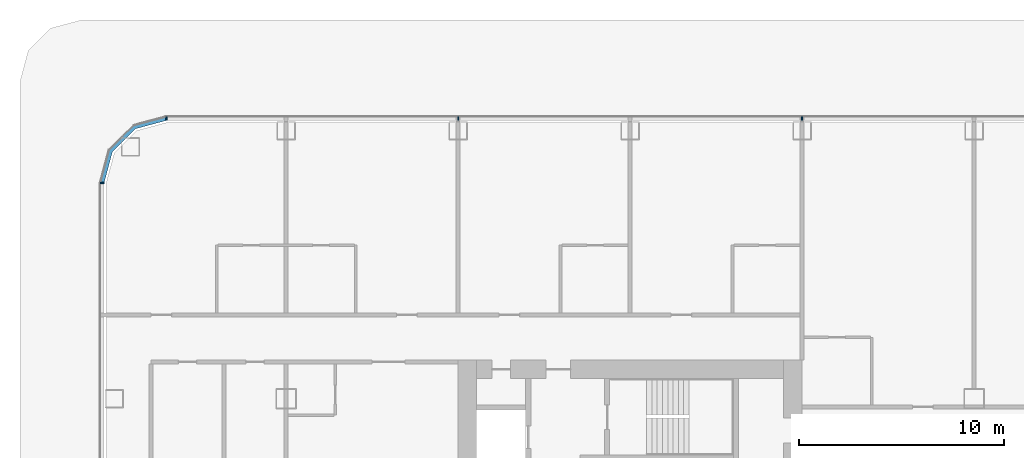
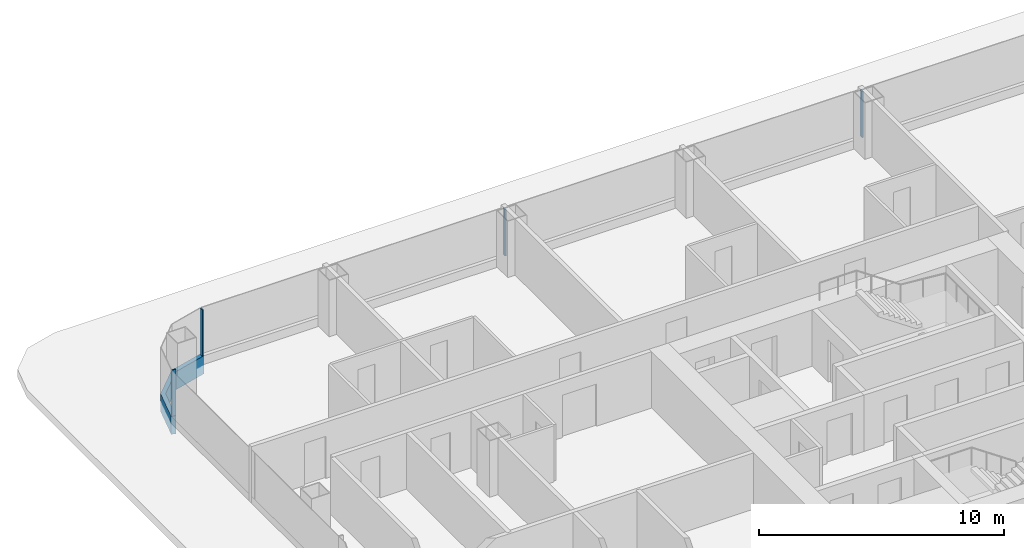
# One storey, part 7 of 42: 5 members, 3 elements without a shape of their own.
"""IFC4 building model written with IfcOpenShell, lengths in metres."""

from ifc_helpers import new_model, si_unit, direction, frame, origin, origin_2d, place, context, subcontext, project, spatial, polyline, rectangle, outline, extrude, material, layer, layer_set, material_profile, profile_set, type_object, element, aggregate, save


model = new_model("IFC4")

# Units and contexts
model_context = context("Model", 3, precision=1e-05, world=origin(), true_north=direction((0.0, 1.0)))
body_context = subcontext(model_context, "Body", "Model", "MODEL_VIEW")
ifc_project = project(units=[si_unit("LENGTHUNIT", "METRE"), si_unit("AREAUNIT", "SQUARE_METRE"), si_unit("VOLUMEUNIT", "CUBIC_METRE"), si_unit("PLANEANGLEUNIT", "RADIAN"), si_unit("MASSUNIT", "GRAM", prefix="KILO")], contexts=[model_context])

# Site, building, storey
site_placement = place(None, origin())
site = spatial("IfcSite", under=ifc_project, at=site_placement, CompositionType="ELEMENT")
building_placement = place(site_placement, origin())
building = spatial("IfcBuilding", under=site, at=building_placement, Name="Hakoniwa Tower and Hamabe Station Hall", CompositionType="ELEMENT")
storey_placement = place(building_placement, frame((0.0, 0.0, 19.800048828125)))
storey = spatial("IfcBuildingStorey", under=building, at=storey_placement, Name="L04", CompositionType="ELEMENT", Elevation=19.800048828125)

# Curtain wall, member
ifc_material_1 = material(Name="Dark low-e laminated glass", Category="glass")
ifc_layer = layer(ifc_material_1, 0.199951171875)
ifc_layer_set = layer_set([ifc_layer], Name="CW-1 UNITISED GUEST")
curtain_wall_type = type_object("IfcCurtainWallType", Name="CW-1 UNITISED GUEST", PredefinedType="NOTDEFINED", material=ifc_layer_set)
curtain_wall_1_placement = place(storey_placement, origin())
curtain_wall_1 = element("IfcCurtainWall", 1, at=curtain_wall_1_placement, inside=storey, type_object=curtain_wall_type, Name="CW-1 curtain wall", PredefinedType="NOTDEFINED")
ifc_material_2 = material(Name="Aluminium 6063-T5 black anodised", Category="aluminium")
ifc_material_profile_1 = material_profile(ifc_material_2, rectangle(XDim=0.199951171875, YDim=0.89990234375, at=origin_2d()), Name="CW SLAB-EDGE BAND 900X200")
ifc_profile_set_1 = profile_set([ifc_material_profile_1], Name="Aluminium 6063-T5 black anodised")
member_type_1 = type_object("IfcMemberType", Name="CW SLAB-EDGE BAND 900X200", PredefinedType="USERDEFINED", material=ifc_profile_set_1)
member_1_placement = place(storey_placement, frame((0.0, 0.0, -0.550048828125)))
member_1 = element("IfcMember", 2, at=member_1_placement, type_object=member_type_1, Name="CW-1 transom", ObjectType="TRANSOM", PredefinedType="USERDEFINED", context=body_context, shape_type="SweptSolid", body=[
    extrude(outline(polyline([(-47.839599609375, 20.300048828125), (-49.455322265625, 19.866943359375), (-50.6669921875, 18.6552734375), (-51.10009765625, 17.03955078125), (-50.90673828125, 16.98779296875), (-50.48779296875, 18.5517578125), (-49.351806640625, 19.687744140625), (-47.787841796875, 20.10693359375), (-47.839599609375, 20.300048828125)])), origin(), (0.0, 0.0, 1.0), 0.89990234375),
])
aggregate(curtain_wall_1, [member_1])

# Curtain wall, members
curtain_wall_2_placement = place(storey_placement, origin())
curtain_wall_2 = element("IfcCurtainWall", 3, at=curtain_wall_2_placement, inside=storey, type_object=curtain_wall_type, Name="CW-1 curtain wall", PredefinedType="NOTDEFINED")
ifc_material_3 = material(Name="Aluminium 6063-T5 black anodised", Category="aluminium")
ifc_material_profile_2 = material_profile(ifc_material_3, rectangle(XDim=0.06005859375, YDim=0.179931640625, at=origin_2d()), Name="CW-1 MULLION 60X180")
ifc_profile_set_2 = profile_set([ifc_material_profile_2], Name="Aluminium 6063-T5 black anodised")
member_type_2 = type_object("IfcMemberType", Name="CW-1 MULLION 60X180", PredefinedType="MULLION", material=ifc_profile_set_2)
member_2_placement = place(storey_placement, frame((-16.800048828125, 20.181884765625, 0.349853515625), z_axis=(0.0, 0.0, 1.0), x_axis=(-1.0, 0.0, 0.0)))
member_2 = element("IfcMember", 4, at=member_2_placement, type_object=member_type_2, Name="CW-1 mullion", PredefinedType="MULLION", context=body_context, shape_type="SweptSolid", body=[
    extrude(rectangle(XDim=0.06005859375, YDim=0.179931640625, at=origin_2d()), origin(), (0.0, 0.0, 1.0), 2.300048828125),
])
member_3_placement = place(storey_placement, frame((-33.60009765625, 20.181884765625, 0.349853515625), z_axis=(0.0, 0.0, 1.0), x_axis=(-1.0, 0.0, 0.0)))
member_3 = element("IfcMember", 5, at=member_3_placement, type_object=member_type_2, Name="CW-1 mullion", PredefinedType="MULLION", context=body_context, shape_type="SweptSolid", body=[
    extrude(rectangle(XDim=0.06005859375, YDim=0.179931640625, at=origin_2d()), origin(), (0.0, 0.0, 1.0), 2.300048828125),
])
member_4_placement = place(storey_placement, frame((-47.839599609375, 20.181884765625, 0.349853515625), z_axis=(0.0, 0.0, 1.0), x_axis=(-1.0, 0.0, 0.0)))
member_4 = element("IfcMember", 6, at=member_4_placement, type_object=member_type_2, Name="CW-1 mullion", PredefinedType="MULLION", context=body_context, shape_type="SweptSolid", body=[
    extrude(rectangle(XDim=0.06005859375, YDim=0.179931640625, at=origin_2d()), origin(), (0.0, 0.0, 1.0), 2.300048828125),
])
aggregate(curtain_wall_2, [member_2, member_3, member_4])

# Curtain wall, member
curtain_wall_3_placement = place(storey_placement, origin())
curtain_wall_3 = element("IfcCurtainWall", 7, at=curtain_wall_3_placement, inside=storey, type_object=curtain_wall_type, Name="CW-1 curtain wall", PredefinedType="NOTDEFINED")
member_5_placement = place(storey_placement, frame((-50.98193359375, 17.03955078125, 0.349853515625), z_axis=(0.0, 0.0, 1.0), x_axis=(0.0, -1.0, 0.0)))
member_5 = element("IfcMember", 8, at=member_5_placement, type_object=member_type_2, Name="CW-1 mullion", PredefinedType="MULLION", context=body_context, shape_type="SweptSolid", body=[
    extrude(rectangle(XDim=0.06005859375, YDim=0.179931640625, at=origin_2d()), origin(), (0.0, 0.0, 1.0), 2.300048828125),
])
aggregate(curtain_wall_3, [member_5])

save(model, "model.ifc")
